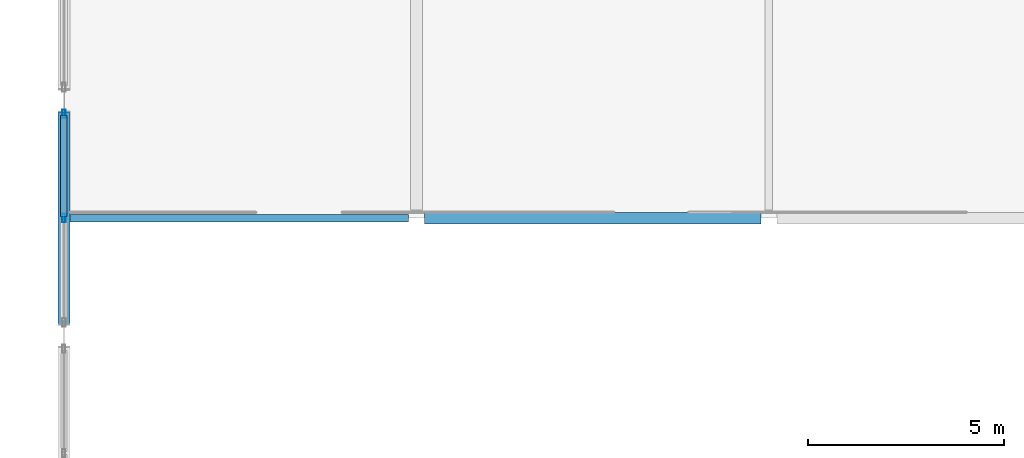
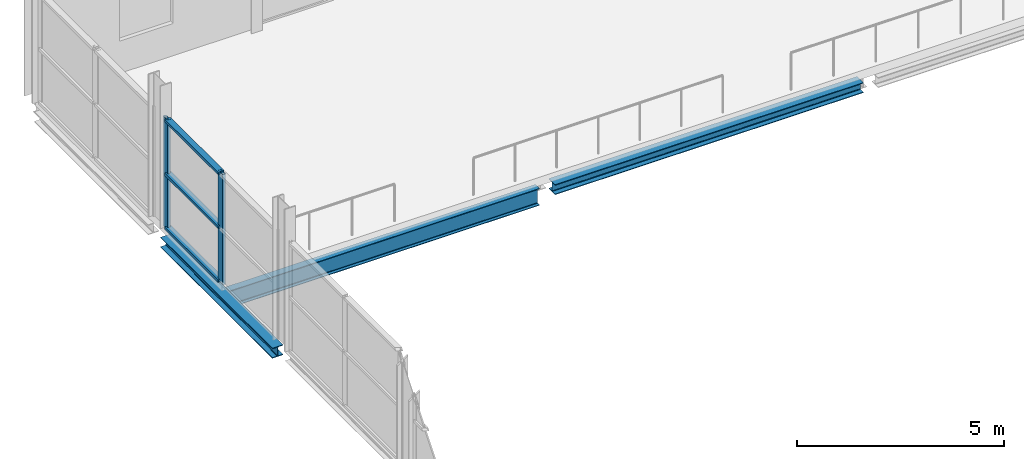
# One storey, part 28 of 135: 5 members, 3 beams, 1 element without a shape of its own.
"""IFC4 building model written with IfcOpenShell, lengths in metres."""

from ifc_helpers import new_model, si_unit, direction, frame, origin, origin_2d, place, context, subcontext, project, spatial, hollow_rectangle, i_section, extrude, material, layer, layer_set, material_profile, profile_set, type_object, element, aggregate, save


model = new_model("IFC4")

# Units and contexts
model_context = context("Model", 3, precision=1e-05, world=origin(), true_north=direction((0.0, 1.0)))
body_context = subcontext(model_context, "Body", "Model", "MODEL_VIEW")
ifc_project = project(units=[si_unit("LENGTHUNIT", "METRE"), si_unit("AREAUNIT", "SQUARE_METRE"), si_unit("VOLUMEUNIT", "CUBIC_METRE"), si_unit("PLANEANGLEUNIT", "RADIAN"), si_unit("MASSUNIT", "GRAM", prefix="KILO")], contexts=[model_context])

# Site, building, storey
site_placement = place(None, origin())
site = spatial("IfcSite", under=ifc_project, at=site_placement, CompositionType="ELEMENT")
building_placement = place(site_placement, origin())
building = spatial("IfcBuilding", under=site, at=building_placement, Name="Deido Ridge Mobility Hub", CompositionType="ELEMENT")
storey_placement = place(building_placement, frame((0.0, 0.0, 4.199951171875)))
storey = spatial("IfcBuildingStorey", under=building, at=storey_placement, Name="L01", CompositionType="ELEMENT", Elevation=4.199951171875)

# Beam
ifc_material_1 = material(Name="Steel S355J2 EN 10025-2", Category="steel")
ifc_material_profile_1 = material_profile(ifc_material_1, i_section(OverallWidth=0.199951171875, OverallDepth=0.5, WebThickness=0.01025390625, FlangeThickness=0.01611328125, FilletRadius=0.02099609375, at=origin_2d()), Name="IPE 500")
ifc_profile_set_1 = profile_set([ifc_material_profile_1], Name="Steel S355J2 EN 10025-2")
beam_type_1 = type_object("IfcBeamType", Name="BM-IPE500", PredefinedType="BEAM", material=ifc_profile_set_1)
beam_1_placement = place(storey_placement, frame((0.159912109375, 27.0, -0.5), z_axis=(1.0, 0.0, 0.0), x_axis=(0.0, 1.0, 0.0)))
element("IfcBeam", 1, at=beam_1_placement, inside=storey, type_object=beam_type_1, Name="Concourse mezzanine edge beam B3", PredefinedType="BEAM", context=body_context, shape_type="SweptSolid", body=[
    extrude(i_section(OverallWidth=0.199951171875, OverallDepth=0.5, WebThickness=0.01025390625, FlangeThickness=0.01611328125, FilletRadius=0.02099609375, at=origin_2d()), origin(), (0.0, 0.0, 1.0), 8.636962890625),
])

# Curtain wall, members
ifc_material_2 = material(Name="Anodised aluminium EN AW-6063 T6", Category="aluminium")
ifc_layer = layer(ifc_material_2, 0.27001953125, Name="Anodised aluminium EN AW-6063 T6")
ifc_layer_set = layer_set([ifc_layer], Name="Anodised aluminium EN AW-6063 T6")
curtain_wall_type = type_object("IfcCurtainWallType", Name="CW-UF-8", PredefinedType="USERDEFINED", material=ifc_layer_set)
curtain_wall_placement = place(storey_placement, origin())
curtain_wall = element("IfcCurtainWall", 2, at=curtain_wall_placement, inside=storey, type_object=curtain_wall_type, Name="Unitised curtain wall CW8", ObjectType="UNITISED FACADE", PredefinedType="USERDEFINED")
ifc_material_profile_2 = material_profile(ifc_material_2, hollow_rectangle(XDim=0.080078125, YDim=0.219970703125, WallThickness=0.00390625, at=origin_2d()), Name="RHS 80x220x4")
ifc_profile_set_2 = profile_set([ifc_material_profile_2], Name="Anodised aluminium EN AW-6063 T6")
member_type_1 = type_object("IfcMemberType", Name="MEM-MUL-80X220", PredefinedType="MULLION", material=ifc_profile_set_2)
member_1_placement = place(storey_placement, frame((0.0, 27.0, 0.0), z_axis=(0.0, 0.0, 1.0), x_axis=(-1.0, 0.0, 0.0)))
member_1 = element("IfcMember", 3, at=member_1_placement, type_object=member_type_1, Name="CW8 mullion 2", PredefinedType="MULLION", context=body_context, shape_type="SweptSolid", body=[
    extrude(hollow_rectangle(XDim=0.080078125, YDim=0.219970703125, WallThickness=0.00390625, at=origin_2d()), origin(), (0.0, 0.0, 1.0), 3.25),
])
member_2_placement = place(storey_placement, frame((0.0, 29.659912109375, 0.0), z_axis=(0.0, 0.0, 1.0), x_axis=(-1.0, 0.0, 0.0)))
member_2 = element("IfcMember", 4, at=member_2_placement, type_object=member_type_1, Name="CW8 mullion 3", PredefinedType="MULLION", context=body_context, shape_type="SweptSolid", body=[
    extrude(hollow_rectangle(XDim=0.080078125, YDim=0.219970703125, WallThickness=0.00390625, at=origin_2d()), origin(), (0.0, 0.0, 1.0), 3.25),
])
ifc_material_profile_3 = material_profile(ifc_material_2, hollow_rectangle(XDim=0.1650390625, YDim=0.080078125, WallThickness=0.00390625, at=origin_2d()), Name="RHS 165x80x4")
ifc_profile_set_3 = profile_set([ifc_material_profile_3], Name="Anodised aluminium EN AW-6063 T6")
member_type_2 = type_object("IfcMemberType", Name="MEM-TRN-165X80", PredefinedType="USERDEFINED", material=ifc_profile_set_3)
member_3_placement = place(storey_placement, frame((0.0, 27.0400390625, 0.0400390625), z_axis=(0.0, 1.0, 0.0), x_axis=(-1.0, 0.0, 0.0)))
member_3 = element("IfcMember", 5, at=member_3_placement, type_object=member_type_2, Name="CW8 transom 2.1", ObjectType="TRANSOM", PredefinedType="USERDEFINED", context=body_context, shape_type="SweptSolid", body=[
    extrude(hollow_rectangle(XDim=0.1650390625, YDim=0.080078125, WallThickness=0.00390625, at=origin_2d()), origin(), (0.0, 0.0, 1.0), 2.580078125),
])
member_4_placement = place(storey_placement, frame((0.0, 27.0400390625, 1.625), z_axis=(0.0, 1.0, 0.0), x_axis=(-1.0, 0.0, 0.0)))
member_4 = element("IfcMember", 6, at=member_4_placement, type_object=member_type_2, Name="CW8 transom 2.2", ObjectType="TRANSOM", PredefinedType="USERDEFINED", context=body_context, shape_type="SweptSolid", body=[
    extrude(hollow_rectangle(XDim=0.1650390625, YDim=0.080078125, WallThickness=0.00390625, at=origin_2d()), origin(), (0.0, 0.0, 1.0), 2.580078125),
])
member_5_placement = place(storey_placement, frame((0.0, 27.0400390625, 3.2099609375), z_axis=(0.0, 1.0, 0.0), x_axis=(-1.0, 0.0, 0.0)))
member_5 = element("IfcMember", 7, at=member_5_placement, type_object=member_type_2, Name="CW8 transom 2.3", ObjectType="TRANSOM", PredefinedType="USERDEFINED", context=body_context, shape_type="SweptSolid", body=[
    extrude(hollow_rectangle(XDim=0.1650390625, YDim=0.080078125, WallThickness=0.00390625, at=origin_2d()), origin(), (0.0, 0.0, 1.0), 2.580078125),
])
aggregate(curtain_wall, [member_1, member_2, member_3, member_4, member_5])

# Beams
ifc_material_profile_4 = material_profile(ifc_material_1, i_section(OverallWidth=0.300048828125, OverallDepth=0.300048828125, WebThickness=0.010986328125, FlangeThickness=0.01904296875, FilletRadius=0.027099609375, at=origin_2d()), Name="HEB 300")
ifc_profile_set_4 = profile_set([ifc_material_profile_4], Name="Steel S355J2 EN 10025-2")
beam_type_2 = type_object("IfcBeamType", Name="SPD-HEB300", PredefinedType="SPANDREL", material=ifc_profile_set_4)
beam_2_placement = place(storey_placement, frame((9.203125, 27.0, -0.39990234375), z_axis=(1.0, 0.0, 0.0), x_axis=(0.0, 1.0, 0.0)))
element("IfcBeam", 8, at=beam_2_placement, inside=storey, type_object=beam_type_2, Name="Floor beam SP1", PredefinedType="SPANDREL", context=body_context, shape_type="SweptSolid", body=[
    extrude(i_section(OverallWidth=0.300048828125, OverallDepth=0.300048828125, WebThickness=0.010986328125, FlangeThickness=0.01904296875, FilletRadius=0.027099609375, at=origin_2d()), origin(), (0.0, 0.0, 1.0), 8.59375),
])
beam_3_placement = place(storey_placement, frame((0.0, 24.300048828125, -0.39990234375), z_axis=(0.0, 1.0, 0.0), x_axis=(-1.0, 0.0, 0.0)))
element("IfcBeam", 9, at=beam_3_placement, inside=storey, type_object=beam_type_2, Name="Floor beam SP1", PredefinedType="SPANDREL", context=body_context, shape_type="SweptSolid", body=[
    extrude(i_section(OverallWidth=0.300048828125, OverallDepth=0.300048828125, WebThickness=0.010986328125, FlangeThickness=0.01904296875, FilletRadius=0.027099609375, at=origin_2d()), origin(), (0.0, 0.0, 1.0), 5.39990234375),
])

save(model, "model.ifc")
